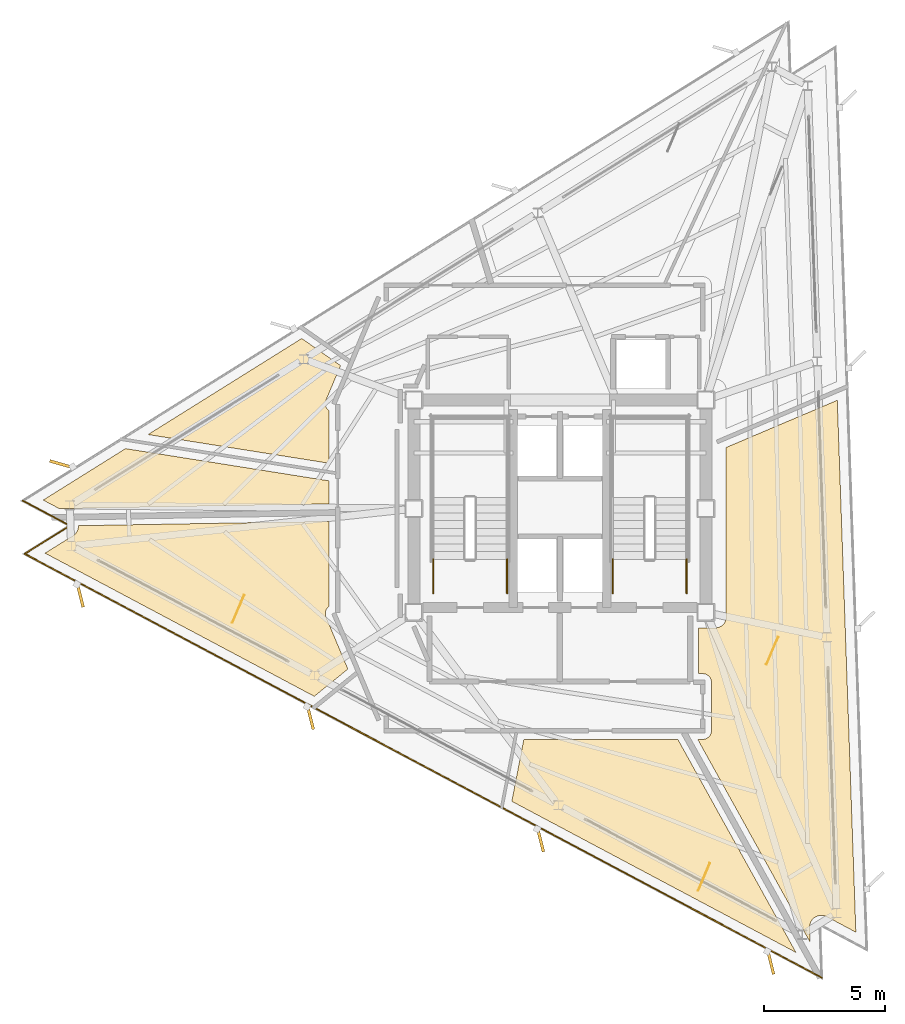
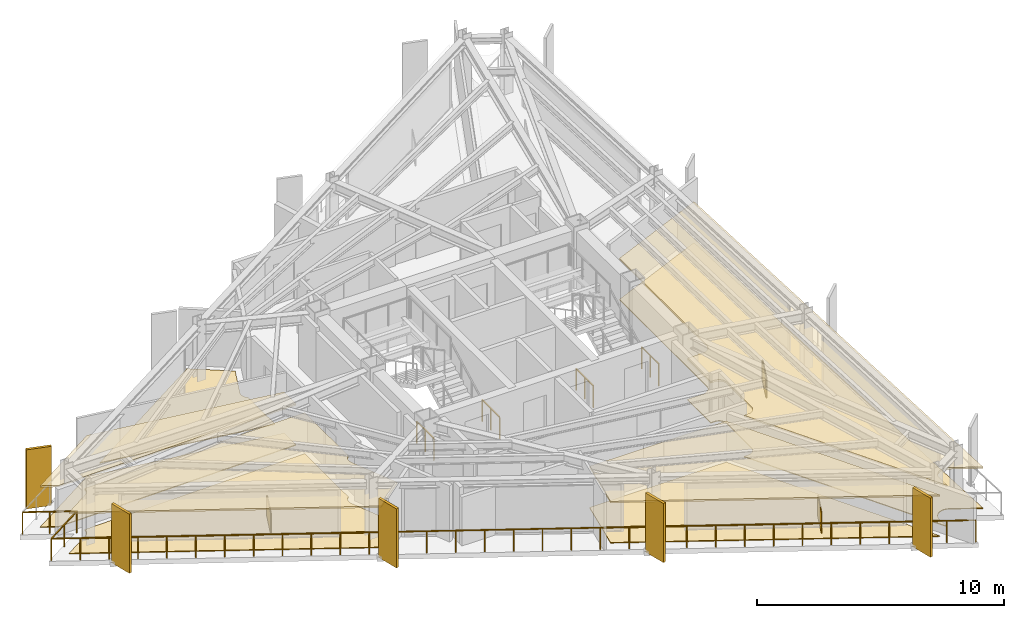
# One storey, part 11 of 13: 12 coverings, 5 railings, 5 shading devices.
"""IFC4 building model written with IfcOpenShell, lengths in metres."""

from ifc_helpers import new_model, si_unit, direction, frame, origin, origin_2d, place, context, subcontext, project, spatial, polyline, rectangle, outline, extrude, material, layer, layer_set, type_object, element, save


model = new_model("IFC4")

# Units and contexts
model_context = context("Model", 3, precision=1e-05, world=origin(), true_north=direction((0.0, 1.0)))
body_context = subcontext(model_context, "Body", "Model", "MODEL_VIEW")
ifc_project = project(units=[si_unit("LENGTHUNIT", "METRE"), si_unit("AREAUNIT", "SQUARE_METRE"), si_unit("VOLUMEUNIT", "CUBIC_METRE"), si_unit("PLANEANGLEUNIT", "RADIAN"), si_unit("MASSUNIT", "GRAM", prefix="KILO")], contexts=[model_context])

# Site, building, storey
site_placement = place(None, origin())
site = spatial("IfcSite", under=ifc_project, at=site_placement, CompositionType="ELEMENT")
building_placement = place(site_placement, origin())
building = spatial("IfcBuilding", under=site, at=building_placement, Name="Rocaltana Carrier Exchange", CompositionType="ELEMENT")
storey_placement = place(building_placement, frame((0.0, 0.0, 196.639892578125)))
storey = spatial("IfcBuildingStorey", under=building, at=storey_placement, Name="L62", CompositionType="ELEMENT", Elevation=196.639892578125)

# Coverings
ifc_material_1 = material(Name="Honed Bogota Sandstone Tile", Category="masonry")
ifc_layer_1 = layer(ifc_material_1, 0.0400390625)
ifc_layer_set_1 = layer_set([ifc_layer_1], Name="Honed Bogota Sandstone Tile")
covering_type_1 = type_object("IfcCoveringType", Name="Honed Stone Lobby Flooring 40", PredefinedType="FLOORING", material=ifc_layer_set_1)
covering_1_placement = place(storey_placement, origin())
element("IfcCovering", 1, at=covering_1_placement, inside=storey, type_object=covering_type_1, Name="L62 Peering Conference Room Finish Floor", PredefinedType="FLOORING", context=body_context, shape_type="SweptSolid", body=[
    extrude(outline(polyline([(-20.17138671875, -1.120361328125), (-20.15966796875, -1.11279296875), (-20.143310546875, -1.101318359375), (-20.121337890625, -1.084228515625), (-20.106201171875, -1.0712890625), (-20.085693359375, -1.052001953125), (-20.072021484375, -1.03759765625), (-20.0537109375, -1.0166015625), (-20.04150390625, -1.000732421875), (-20.025390625, -0.97802734375), (-20.014892578125, -0.961181640625), (-20.001220703125, -0.936767578125), (-19.9921875, -0.9189453125), (-19.98095703125, -0.893310546875), (-19.973876953125, -0.874755859375), (-19.965087890625, -0.848388671875), (-19.9599609375, -0.8291015625), (-19.9541015625, -0.8017578125), (-19.95068359375, -0.781982421875), (-19.947509765625, -0.75439453125), (-19.9462890625, -0.734375), (-19.94580078125, -0.708251953125), (-9.56005859375, -0.52685546875), (-9.56005859375, -4.052001953125), (-9.57177734375, -4.06005859375), (-9.578125, -4.064697265625), (-9.59912109375, -4.082275390625), (-9.60498046875, -4.087646484375), (-9.624267578125, -4.107177734375), (-9.629638671875, -4.113037109375), (-9.64697265625, -4.134521484375), (-9.651611328125, -4.140625), (-9.666748046875, -4.16357421875), (-9.670654296875, -4.17041015625), (-9.68359375, -4.194580078125), (-9.686767578125, -4.201904296875), (-9.697265625, -4.227294921875), (-9.69970703125, -4.234619140625), (-9.70751953125, -4.260986328125), (-9.70947265625, -4.2685546875), (-9.714599609375, -4.295654296875), (-9.7158203125, -4.30322265625), (-9.718505859375, -4.330810546875), (-9.71875, -4.33837890625), (-9.718505859375, -4.365966796875), (-9.71826171875, -4.373779296875), (-9.71533203125, -4.401123046875), (-9.714111328125, -4.408935546875), (-9.70849609375, -4.435791015625), (-9.706787109375, -4.443603515625), (-9.698486328125, -4.4697265625), (-9.69580078125, -4.47705078125), (-9.69091796875, -4.489990234375), (-8.782958984375, -6.649169921875), (-10.17626953125, -7.77734375), (-21.33203125, -1.845703125), (-20.17138671875, -1.120361328125)])), origin(), (0.0, 0.0, 1.0), 0.0400390625),
])
covering_2_placement = place(storey_placement, origin())
element("IfcCovering", 2, at=covering_2_placement, inside=storey, type_object=covering_type_1, Name="L62 Peering Conference Room Finish Floor", PredefinedType="FLOORING", context=body_context, shape_type="SweptSolid", body=[
    extrude(outline(polyline([(-1.990966796875, -12.12939453125), (-1.491455078125, -9.56005859375), (4.8876953125, -9.56005859375), (9.781494140625, -18.388916015625), (-1.990966796875, -12.12939453125)])), origin(), (0.0, 0.0, 1.0), 0.0400390625),
])
covering_3_placement = place(storey_placement, origin())
element("IfcCovering", 3, at=covering_3_placement, inside=storey, type_object=covering_type_1, Name="L62 Optical Switching Laboratory Finish Floor", PredefinedType="FLOORING", context=body_context, shape_type="SweptSolid", body=[
    extrude(outline(polyline([(5.739990234375, -6.840087890625), (5.739990234375, -4.93994140625), (6.449951171875, -4.93994140625), (6.463623046875, -4.939697265625), (6.4794921875, -4.93896484375), (6.5068359375, -4.936279296875), (6.522216796875, -4.933837890625), (6.54931640625, -4.928466796875), (6.564453125, -4.9248046875), (6.5908203125, -4.916748046875), (6.605712890625, -4.91162109375), (6.630859375, -4.90087890625), (6.64501953125, -4.894287109375), (6.66943359375, -4.88134765625), (6.682861328125, -4.873291015625), (6.705810546875, -4.85791015625), (6.71826171875, -4.8486328125), (6.739501953125, -4.8310546875), (6.751220703125, -4.820556640625), (6.7705078125, -4.80126953125), (6.781005859375, -4.78955078125), (6.798583984375, -4.768310546875), (6.807861328125, -4.755615234375), (6.8232421875, -4.73291015625), (6.831298828125, -4.719482421875), (6.84423828125, -4.695068359375), (6.850830078125, -4.680908203125), (6.861572265625, -4.655517578125), (6.86669921875, -4.640869140625), (6.874755859375, -4.614501953125), (6.87841796875, -4.59912109375), (6.8837890625, -4.572265625), (6.88623046875, -4.556884765625), (6.888916015625, -4.529296875), (6.8896484375, -4.513671875), (6.889892578125, -4.5), (6.889892578125, 2.533447265625), (11.494873046875, 4.488037109375), (12.264404296875, -17.55126953125), (11.055908203125, -16.90869140625), (11.04345703125, -16.902587890625), (11.025390625, -16.89404296875), (10.99951171875, -16.883544921875), (10.980712890625, -16.876708984375), (10.9541015625, -16.868896484375), (10.9345703125, -16.8642578125), (10.9072265625, -16.85888671875), (10.887451171875, -16.856201171875), (10.859619140625, -16.853515625), (10.83984375, -16.852783203125), (10.81201171875, -16.85302734375), (10.7919921875, -16.854248046875), (10.76416015625, -16.857421875), (10.744384765625, -16.860595703125), (10.71728515625, -16.8662109375), (10.697998046875, -16.871337890625), (10.67138671875, -16.8798828125), (10.652587890625, -16.886962890625), (10.627197265625, -16.89794921875), (10.609130859375, -16.906982421875), (10.584716796875, -16.92041015625), (10.56787109375, -16.930908203125), (10.544921875, -16.947021484375), (10.529296875, -16.959228515625), (10.508056640625, -16.977294921875), (10.49365234375, -16.990966796875), (10.474365234375, -17.01123046875), (10.461181640625, -17.0263671875), (10.444091796875, -17.04833984375), (10.4326171875, -17.064697265625), (10.41748046875, -17.088134765625), (10.407958984375, -17.105712890625), (10.3955078125, -17.130615234375), (10.38720703125, -17.148681640625), (10.37744140625, -17.1748046875), (10.37109375, -17.19384765625), (10.364013671875, -17.220703125), (10.359619140625, -17.240234375), (10.35498046875, -17.267822265625), (10.352783203125, -17.28759765625), (10.35107421875, -17.3154296875), (10.350830078125, -17.33544921875), (10.350830078125, -17.349365234375), (10.37255859375, -17.97021484375), (5.710693359375, -9.56005859375), (5.919921875, -9.56005859375), (5.93359375, -9.559814453125), (5.941650390625, -9.559326171875), (5.968994140625, -9.556640625), (5.976806640625, -9.555419921875), (6.003662109375, -9.550048828125), (6.01123046875, -9.548095703125), (6.03759765625, -9.540283203125), (6.044921875, -9.53759765625), (6.0703125, -9.527099609375), (6.077392578125, -9.523681640625), (6.101806640625, -9.5107421875), (6.1083984375, -9.506591796875), (6.131103515625, -9.491455078125), (6.137451171875, -9.48681640625), (6.15869140625, -9.46923828125), (6.16455078125, -9.464111328125), (6.18408203125, -9.444580078125), (6.189208984375, -9.438720703125), (6.206787109375, -9.41748046875), (6.21142578125, -9.4111328125), (6.226806640625, -9.388427734375), (6.230712890625, -9.381591796875), (6.24365234375, -9.357421875), (6.2470703125, -9.350341796875), (6.257568359375, -9.324951171875), (6.26025390625, -9.317626953125), (6.268310546875, -9.291259765625), (6.27001953125, -9.28369140625), (6.275390625, -9.256591796875), (6.276611328125, -9.248779296875), (6.279296875, -9.2216796875), (6.27978515625, -9.213623046875), (6.280029296875, -9.199951171875), (6.280029296875, -7.199951171875), (6.27978515625, -7.186279296875), (6.279296875, -7.178466796875), (6.276611328125, -7.151123046875), (6.275390625, -7.143310546875), (6.27001953125, -7.116455078125), (6.268310546875, -7.108642578125), (6.26025390625, -7.08251953125), (6.257568359375, -7.0751953125), (6.2470703125, -7.0498046875), (6.24365234375, -7.04248046875), (6.230712890625, -7.018310546875), (6.226806640625, -7.01171875), (6.21142578125, -6.98876953125), (6.206787109375, -6.982421875), (6.189208984375, -6.961181640625), (6.18408203125, -6.955322265625), (6.16455078125, -6.93603515625), (6.15869140625, -6.9306640625), (6.137451171875, -6.913330078125), (6.131103515625, -6.90869140625), (6.1083984375, -6.893310546875), (6.101806640625, -6.889404296875), (6.077392578125, -6.876220703125), (6.0703125, -6.873046875), (6.044921875, -6.862548828125), (6.03759765625, -6.85986328125), (6.01123046875, -6.851806640625), (6.003662109375, -6.849853515625), (5.976806640625, -6.844482421875), (5.968994140625, -6.843505859375), (5.941650390625, -6.8408203125), (5.93359375, -6.84033203125), (5.919921875, -6.840087890625), (5.739990234375, -6.840087890625)])), origin(), (0.0, 0.0, 1.0), 0.0400390625),
])
covering_4_placement = place(storey_placement, origin())
element("IfcCovering", 4, at=covering_4_placement, inside=storey, type_object=covering_type_1, Name="L62 Incident Briefing Room Finish Floor", PredefinedType="FLOORING", context=body_context, shape_type="SweptSolid", body=[
    extrude(outline(polyline([(-10.69384765625, 7.048583984375), (-9.087890625, 5.923828125), (-9.69091796875, 4.489990234375), (-9.69580078125, 4.47705078125), (-9.698486328125, 4.4697265625), (-9.706787109375, 4.443603515625), (-9.70849609375, 4.435791015625), (-9.714111328125, 4.408935546875), (-9.71533203125, 4.401123046875), (-9.71826171875, 4.373779296875), (-9.718505859375, 4.365966796875), (-9.71875, 4.33837890625), (-9.718505859375, 4.330810546875), (-9.7158203125, 4.30322265625), (-9.714599609375, 4.295654296875), (-9.70947265625, 4.2685546875), (-9.70751953125, 4.260986328125), (-9.69970703125, 4.234619140625), (-9.697265625, 4.227294921875), (-9.686767578125, 4.201904296875), (-9.68359375, 4.194580078125), (-9.670654296875, 4.17041015625), (-9.666748046875, 4.16357421875), (-9.651611328125, 4.140625), (-9.64697265625, 4.134521484375), (-9.629638671875, 4.113037109375), (-9.624267578125, 4.107177734375), (-9.60498046875, 4.087646484375), (-9.59912109375, 4.082275390625), (-9.578125, 4.064697265625), (-9.57177734375, 4.06005859375), (-9.56005859375, 4.052001953125), (-9.56005859375, 1.878662109375), (-17.065185546875, 3.0673828125), (-10.69384765625, 7.048583984375)])), origin(), (0.0, 0.0, 1.0), 0.0400390625),
])
covering_5_placement = place(storey_placement, origin())
element("IfcCovering", 5, at=covering_5_placement, inside=storey, type_object=covering_type_1, Name="L62 Carrier Peering Suite Finish Floor", PredefinedType="FLOORING", context=body_context, shape_type="SweptSolid", body=[
    extrude(outline(polyline([(-21.40869140625, 0.35302734375), (-17.995849609375, 2.48583984375), (-9.56005859375, 1.149658203125), (-9.56005859375, 0.193115234375), (-20.740966796875, -0.001953125), (-21.40869140625, 0.35302734375)])), origin(), (0.0, 0.0, 1.0), 0.0400390625),
])
ifc_material_2 = material(Name="Anodised Aluminium 6063-T6", Category="aluminium")
ifc_layer_2 = layer(ifc_material_2, 0.0849609375)
ifc_layer_set_2 = layer_set([ifc_layer_2], Name="Anodised Aluminium 6063-T6")
covering_type_2 = type_object("IfcCoveringType", Name="Linear Baffle Acoustic Ceiling 85", PredefinedType="CEILING", material=ifc_layer_set_2)
covering_6_placement = place(storey_placement, frame((0.0, 0.0, 1.983154296875)))
element("IfcCovering", 6, at=covering_6_placement, inside=storey, type_object=covering_type_2, Name="L62 Peering Conference Room Acoustic Ceiling", PredefinedType="CEILING", context=body_context, shape_type="SweptSolid", body=[
    extrude(outline(polyline([(-20.17138671875, -1.120361328125), (-20.15966796875, -1.11279296875), (-20.143310546875, -1.101318359375), (-20.121337890625, -1.084228515625), (-20.106201171875, -1.0712890625), (-20.085693359375, -1.052001953125), (-20.072021484375, -1.03759765625), (-20.0537109375, -1.0166015625), (-20.04150390625, -1.000732421875), (-20.025390625, -0.97802734375), (-20.014892578125, -0.961181640625), (-20.001220703125, -0.936767578125), (-19.9921875, -0.9189453125), (-19.98095703125, -0.893310546875), (-19.973876953125, -0.874755859375), (-19.965087890625, -0.848388671875), (-19.9599609375, -0.8291015625), (-19.9541015625, -0.8017578125), (-19.95068359375, -0.781982421875), (-19.947509765625, -0.75439453125), (-19.9462890625, -0.734375), (-19.94580078125, -0.708251953125), (-9.56005859375, -0.52685546875), (-9.56005859375, -4.052001953125), (-9.57177734375, -4.06005859375), (-9.578125, -4.064697265625), (-9.59912109375, -4.082275390625), (-9.60498046875, -4.087646484375), (-9.624267578125, -4.107177734375), (-9.629638671875, -4.113037109375), (-9.64697265625, -4.134521484375), (-9.651611328125, -4.140625), (-9.666748046875, -4.16357421875), (-9.670654296875, -4.17041015625), (-9.68359375, -4.194580078125), (-9.686767578125, -4.201904296875), (-9.697265625, -4.227294921875), (-9.69970703125, -4.234619140625), (-9.70751953125, -4.260986328125), (-9.70947265625, -4.2685546875), (-9.714599609375, -4.295654296875), (-9.7158203125, -4.30322265625), (-9.718505859375, -4.330810546875), (-9.71875, -4.33837890625), (-9.718505859375, -4.365966796875), (-9.71826171875, -4.373779296875), (-9.71533203125, -4.401123046875), (-9.714111328125, -4.408935546875), (-9.70849609375, -4.435791015625), (-9.706787109375, -4.443603515625), (-9.698486328125, -4.4697265625), (-9.69580078125, -4.47705078125), (-9.69091796875, -4.489990234375), (-8.782958984375, -6.649169921875), (-10.17626953125, -7.77734375), (-21.33203125, -1.845703125), (-20.17138671875, -1.120361328125)])), origin(), (0.0, 0.0, 1.0), 0.0849609375),
])
covering_7_placement = place(storey_placement, frame((0.0, 0.0, 1.983154296875)))
element("IfcCovering", 7, at=covering_7_placement, inside=storey, type_object=covering_type_2, Name="L62 Peering Conference Room Acoustic Ceiling", PredefinedType="CEILING", context=body_context, shape_type="SweptSolid", body=[
    extrude(outline(polyline([(-1.990966796875, -12.12939453125), (-1.491455078125, -9.56005859375), (4.8876953125, -9.56005859375), (9.781494140625, -18.388916015625), (-1.990966796875, -12.12939453125)])), origin(), (0.0, 0.0, 1.0), 0.0849609375),
])
covering_8_placement = place(storey_placement, frame((0.0, 0.0, 1.983154296875)))
element("IfcCovering", 8, at=covering_8_placement, inside=storey, type_object=covering_type_2, Name="L62 Optical Switching Laboratory Acoustic Ceiling", PredefinedType="CEILING", context=body_context, shape_type="SweptSolid", body=[
    extrude(outline(polyline([(5.739990234375, -6.840087890625), (5.739990234375, -4.93994140625), (6.449951171875, -4.93994140625), (6.463623046875, -4.939697265625), (6.4794921875, -4.93896484375), (6.5068359375, -4.936279296875), (6.522216796875, -4.933837890625), (6.54931640625, -4.928466796875), (6.564453125, -4.9248046875), (6.5908203125, -4.916748046875), (6.605712890625, -4.91162109375), (6.630859375, -4.90087890625), (6.64501953125, -4.894287109375), (6.66943359375, -4.88134765625), (6.682861328125, -4.873291015625), (6.705810546875, -4.85791015625), (6.71826171875, -4.8486328125), (6.739501953125, -4.8310546875), (6.751220703125, -4.820556640625), (6.7705078125, -4.80126953125), (6.781005859375, -4.78955078125), (6.798583984375, -4.768310546875), (6.807861328125, -4.755615234375), (6.8232421875, -4.73291015625), (6.831298828125, -4.719482421875), (6.84423828125, -4.695068359375), (6.850830078125, -4.680908203125), (6.861572265625, -4.655517578125), (6.86669921875, -4.640869140625), (6.874755859375, -4.614501953125), (6.87841796875, -4.59912109375), (6.8837890625, -4.572265625), (6.88623046875, -4.556884765625), (6.888916015625, -4.529296875), (6.8896484375, -4.513671875), (6.889892578125, -4.5), (6.889892578125, 2.533447265625), (11.494873046875, 4.488037109375), (12.264404296875, -17.55126953125), (11.055908203125, -16.90869140625), (11.04345703125, -16.902587890625), (11.025390625, -16.89404296875), (10.99951171875, -16.883544921875), (10.980712890625, -16.876708984375), (10.9541015625, -16.868896484375), (10.9345703125, -16.8642578125), (10.9072265625, -16.85888671875), (10.887451171875, -16.856201171875), (10.859619140625, -16.853515625), (10.83984375, -16.852783203125), (10.81201171875, -16.85302734375), (10.7919921875, -16.854248046875), (10.76416015625, -16.857421875), (10.744384765625, -16.860595703125), (10.71728515625, -16.8662109375), (10.697998046875, -16.871337890625), (10.67138671875, -16.8798828125), (10.652587890625, -16.886962890625), (10.627197265625, -16.89794921875), (10.609130859375, -16.906982421875), (10.584716796875, -16.92041015625), (10.56787109375, -16.930908203125), (10.544921875, -16.947021484375), (10.529296875, -16.959228515625), (10.508056640625, -16.977294921875), (10.49365234375, -16.990966796875), (10.474365234375, -17.01123046875), (10.461181640625, -17.0263671875), (10.444091796875, -17.04833984375), (10.4326171875, -17.064697265625), (10.41748046875, -17.088134765625), (10.407958984375, -17.105712890625), (10.3955078125, -17.130615234375), (10.38720703125, -17.148681640625), (10.37744140625, -17.1748046875), (10.37109375, -17.19384765625), (10.364013671875, -17.220703125), (10.359619140625, -17.240234375), (10.35498046875, -17.267822265625), (10.352783203125, -17.28759765625), (10.35107421875, -17.3154296875), (10.350830078125, -17.33544921875), (10.350830078125, -17.349365234375), (10.37255859375, -17.97021484375), (5.710693359375, -9.56005859375), (5.919921875, -9.56005859375), (5.93359375, -9.559814453125), (5.941650390625, -9.559326171875), (5.968994140625, -9.556640625), (5.976806640625, -9.555419921875), (6.003662109375, -9.550048828125), (6.01123046875, -9.548095703125), (6.03759765625, -9.540283203125), (6.044921875, -9.53759765625), (6.0703125, -9.527099609375), (6.077392578125, -9.523681640625), (6.101806640625, -9.5107421875), (6.1083984375, -9.506591796875), (6.131103515625, -9.491455078125), (6.137451171875, -9.48681640625), (6.15869140625, -9.46923828125), (6.16455078125, -9.464111328125), (6.18408203125, -9.444580078125), (6.189208984375, -9.438720703125), (6.206787109375, -9.41748046875), (6.21142578125, -9.4111328125), (6.226806640625, -9.388427734375), (6.230712890625, -9.381591796875), (6.24365234375, -9.357421875), (6.2470703125, -9.350341796875), (6.257568359375, -9.324951171875), (6.26025390625, -9.317626953125), (6.268310546875, -9.291259765625), (6.27001953125, -9.28369140625), (6.275390625, -9.256591796875), (6.276611328125, -9.248779296875), (6.279296875, -9.2216796875), (6.27978515625, -9.213623046875), (6.280029296875, -9.199951171875), (6.280029296875, -7.199951171875), (6.27978515625, -7.186279296875), (6.279296875, -7.178466796875), (6.276611328125, -7.151123046875), (6.275390625, -7.143310546875), (6.27001953125, -7.116455078125), (6.268310546875, -7.108642578125), (6.26025390625, -7.08251953125), (6.257568359375, -7.0751953125), (6.2470703125, -7.0498046875), (6.24365234375, -7.04248046875), (6.230712890625, -7.018310546875), (6.226806640625, -7.01171875), (6.21142578125, -6.98876953125), (6.206787109375, -6.982421875), (6.189208984375, -6.961181640625), (6.18408203125, -6.955322265625), (6.16455078125, -6.93603515625), (6.15869140625, -6.9306640625), (6.137451171875, -6.913330078125), (6.131103515625, -6.90869140625), (6.1083984375, -6.893310546875), (6.101806640625, -6.889404296875), (6.077392578125, -6.876220703125), (6.0703125, -6.873046875), (6.044921875, -6.862548828125), (6.03759765625, -6.85986328125), (6.01123046875, -6.851806640625), (6.003662109375, -6.849853515625), (5.976806640625, -6.844482421875), (5.968994140625, -6.843505859375), (5.941650390625, -6.8408203125), (5.93359375, -6.84033203125), (5.919921875, -6.840087890625), (5.739990234375, -6.840087890625)])), origin(), (0.0, 0.0, 1.0), 0.0849609375),
])
covering_9_placement = place(storey_placement, frame((0.0, 0.0, 1.983154296875)))
element("IfcCovering", 9, at=covering_9_placement, inside=storey, type_object=covering_type_2, Name="L62 Carrier Peering Suite Acoustic Ceiling", PredefinedType="CEILING", context=body_context, shape_type="SweptSolid", body=[
    extrude(outline(polyline([(-21.40869140625, 0.35302734375), (-17.995849609375, 2.48583984375), (-9.56005859375, 1.149658203125), (-9.56005859375, 0.193115234375), (-20.740966796875, -0.001953125), (-21.40869140625, 0.35302734375)])), origin(), (0.0, 0.0, 1.0), 0.0849609375),
])

# Railings
ifc_material_3 = material(Name="Powder-Coated Aluminium 6063-T6", Category="aluminium")
ifc_layer_3 = layer(ifc_material_3, 0.048095703125)
ifc_layer_set_3 = layer_set([ifc_layer_3], Name="Powder-Coated Aluminium 6063-T6")
railing_type_1 = type_object("IfcRailingType", Name="Stair Well Guardrail 1100", PredefinedType="GUARDRAIL", material=ifc_layer_set_3)
for number, where, name in (
    (10, (-2.18994140625, -3.5, 0.0), "L62 ST-1 stair guard 8"),
    (11, (-5.25, -3.5, 0.0), "L62 ST-1 stair guard 9"),
    (12, (5.25, -3.5, 0.0), "L62 ST-2 stair guard 8"),
    (13, (2.18994140625, -3.5, 0.0), "L62 ST-2 stair guard 9"),
):
    element("IfcRailing", number, at=place(storey_placement, frame(where)), inside=storey, type_object=railing_type_1, Name=name, PredefinedType="GUARDRAIL", context=body_context, shape_type="SweptSolid", body=[
        extrude(rectangle(XDim=0.048095703125, YDim=0.048095703125, at=origin_2d()), frame((0.0, 0.0, 1.076171875), z_axis=(0.0, 1.0, 0.0), x_axis=(-1.0, 0.0, 0.0)), (0.0, 0.0, 1.0), 1.39990234375),
        extrude(rectangle(XDim=0.0419921875, YDim=0.0419921875, at=origin_2d()), origin(), (0.0, 0.0, 1.0), 1.052001953125),
        extrude(rectangle(XDim=0.0419921875, YDim=0.0419921875, at=origin_2d()), frame((0.0, 0.699951171875, 0.0)), (0.0, 0.0, 1.0), 1.052001953125),
        extrude(rectangle(XDim=0.0419921875, YDim=0.0419921875, at=origin_2d()), frame((0.0, 1.39990234375, 0.0)), (0.0, 0.0, 1.0), 1.052001953125),
    ])

# Coverings
ifc_material_4 = material(Name="Honed Piedra Muneca Sandstone", Category="masonry")
ifc_layer_4 = layer(ifc_material_4, 0.034912109375)
ifc_layer_set_4 = layer_set([ifc_layer_4], Name="Honed Piedra Muneca Sandstone")
covering_type_3 = type_object("IfcCoveringType", Name="Stone Facade Cladding 35", PredefinedType="CLADDING", material=ifc_layer_set_4)
for number, where, z_axis, x_axis, name in (
    (14, (-13.32666015625, -4.152099609375, 0.0), (0.0, 0.0, 1.0), (0.390731128489, 0.920504853452, 0.0), "L62 Stone Facade Cladding Panel 1"),
    (15, (5.970947265625, -15.25927734375, 0.0), (0.0, 0.0, 1.0), (0.390731128489, 0.920504853452, 0.0), "L62 Stone Facade Cladding Panel 3"),
    (16, (8.798583984375, -5.889892578125, 0.0), (0.0, 0.0, 1.0), (0.390731128489, 0.920504853452, 0.0), "L62 Stone Facade Cladding Panel 4"),
):
    element("IfcCovering", number, at=place(storey_placement, frame(where, z_axis=z_axis, x_axis=x_axis)), inside=storey, type_object=covering_type_3, Name=name, PredefinedType="CLADDING", context=body_context, shape_type="SweptSolid", body=[
        extrude(rectangle(XDim=1.25, YDim=0.034912109375, at=origin_2d()), origin(), (0.0, 0.0, 1.0), 1.050048828125),
    ])

# Shading devices
ifc_material_5 = material(Name="Honed Bogota Sandstone & Concrete C45/55", Category="masonry")
ifc_layer_5 = layer(ifc_material_5, 0.1201171875)
ifc_layer_set_5 = layer_set([ifc_layer_5], Name="Honed Bogota Sandstone & Concrete C45/55")
shading_device_type = type_object("IfcShadingDeviceType", Name="Upper Sandstone Shading Fin 1050x120", PredefinedType="USERDEFINED", material=ifc_layer_set_5)
for number, where, z_axis, x_axis, name in (
    (17, (-20.62939453125, 1.8310546875, -0.119873046875), (0.0, 0.0, 1.0), (-0.961261695938, 0.275637355817, 0.0), "L62 Sandstone Vertical Fin F2-04"),
    (18, (-19.87841796875, -3.5703125, -0.119873046875), (0.0, 0.0, 1.0), (0.2419218956, -0.970295726276, 0.0), "L62 Sandstone Vertical Fin F3-01"),
    (19, (-10.342529296875, -8.640625, -0.119873046875), (0.0, 0.0, 1.0), (0.2419218956, -0.970295726276, 0.0), "L62 Sandstone Vertical Fin F3-02"),
    (20, (-0.806884765625, -13.7109375, -0.119873046875), (0.0, 0.0, 1.0), (0.2419218956, -0.970295726276, 0.0), "L62 Sandstone Vertical Fin F3-03"),
    (21, (8.72900390625, -18.78125, -0.119873046875), (0.0, 0.0, 1.0), (0.2419218956, -0.970295726276, 0.0), "L62 Sandstone Vertical Fin F3-04"),
):
    element("IfcShadingDevice", number, at=place(storey_placement, frame(where, z_axis=z_axis, x_axis=x_axis)), inside=storey, type_object=shading_device_type, Name=name, ObjectType="FIN", PredefinedType="USERDEFINED", context=body_context, shape_type="SweptSolid", body=[
        extrude(rectangle(XDim=1.050048828125, YDim=0.1201171875, at=origin_2d()), origin(), (0.0, 0.0, 1.0), 2.91796875),
    ])

# Railing
ifc_material_6 = material(Name="Powder-Coated Aluminium 6063-T6", Category="aluminium")
ifc_layer_6 = layer(ifc_material_6, 0.06005859375)
ifc_layer_set_6 = layer_set([ifc_layer_6], Name="Powder-Coated Aluminium 6063-T6")
railing_type_2 = type_object("IfcRailingType", Name="Wind-Floor & Terrace Perimeter Guardrail 1100", PredefinedType="GUARDRAIL", material=ifc_layer_set_6)
railing_placement = place(storey_placement, frame((10.84375, -19.429443359375, 0.0)))
element("IfcRailing", 22, at=railing_placement, inside=storey, type_object=railing_type_2, Name="L62 Perimeter Balcony Guardrail 1", PredefinedType="GUARDRAIL", context=body_context, shape_type="SweptSolid", body=[
    extrude(rectangle(XDim=0.048095703125, YDim=0.048095703125, at=origin_2d()), frame((0.0, 0.0, 1.076171875), z_axis=(-0.882949211739, 0.469468518103, 0.0), x_axis=(-0.469468518103, -0.882949211739, 0.0)), (0.0, 0.0, 1.0), 37.39208984375),
    extrude(rectangle(XDim=0.048095703125, YDim=0.048095703125, at=origin_2d()), frame((-33.015380859375, 17.554443359375, 1.076171875), z_axis=(0.848010771987, 0.52997899071, 0.0), x_axis=(-0.52997899071, 0.848010771987, 0.0)), (0.0, 0.0, 1.0), 2.2001953125),
    extrude(rectangle(XDim=0.048095703125, YDim=0.048095703125, at=origin_2d()), frame((-31.149658203125, 18.720458984375, 1.076171875), z_axis=(-0.882960484464, 0.4694473164, 0.0), x_axis=(-0.4694473164, -0.882960484464, 0.0)), (0.0, 0.0, 1.0), 2.199951171875),
    extrude(rectangle(XDim=0.0419921875, YDim=0.0419921875, at=origin_2d()), origin(), (0.0, 0.0, 1.0), 1.052001953125),
    extrude(rectangle(XDim=0.0419921875, YDim=0.0419921875, at=origin_2d()), frame((-1.03173828125, 0.548583984375, 0.0)), (0.0, 0.0, 1.0), 1.052001953125),
    extrude(rectangle(XDim=0.0419921875, YDim=0.0419921875, at=origin_2d()), frame((-2.0634765625, 1.09716796875, 0.0)), (0.0, 0.0, 1.0), 1.052001953125),
    extrude(rectangle(XDim=0.0419921875, YDim=0.0419921875, at=origin_2d()), frame((-3.09521484375, 1.645751953125, 0.0)), (0.0, 0.0, 1.0), 1.052001953125),
    extrude(rectangle(XDim=0.0419921875, YDim=0.0419921875, at=origin_2d()), frame((-4.126953125, 2.1943359375, 0.0)), (0.0, 0.0, 1.0), 1.052001953125),
    extrude(rectangle(XDim=0.0419921875, YDim=0.0419921875, at=origin_2d()), frame((-5.15869140625, 2.742919921875, 0.0)), (0.0, 0.0, 1.0), 1.052001953125),
    extrude(rectangle(XDim=0.0419921875, YDim=0.0419921875, at=origin_2d()), frame((-6.1904296875, 3.29150390625, 0.0)), (0.0, 0.0, 1.0), 1.052001953125),
    extrude(rectangle(XDim=0.0419921875, YDim=0.0419921875, at=origin_2d()), frame((-7.22216796875, 3.840087890625, 0.0)), (0.0, 0.0, 1.0), 1.052001953125),
    extrude(rectangle(XDim=0.0419921875, YDim=0.0419921875, at=origin_2d()), frame((-8.25390625, 4.388671875, 0.0)), (0.0, 0.0, 1.0), 1.052001953125),
    extrude(rectangle(XDim=0.0419921875, YDim=0.0419921875, at=origin_2d()), frame((-9.28564453125, 4.937255859375, 0.0)), (0.0, 0.0, 1.0), 1.052001953125),
    extrude(rectangle(XDim=0.0419921875, YDim=0.0419921875, at=origin_2d()), frame((-10.3173828125, 5.48583984375, 0.0)), (0.0, 0.0, 1.0), 1.052001953125),
    extrude(rectangle(XDim=0.0419921875, YDim=0.0419921875, at=origin_2d()), frame((-11.34912109375, 6.034423828125, 0.0)), (0.0, 0.0, 1.0), 1.052001953125),
    extrude(rectangle(XDim=0.0419921875, YDim=0.0419921875, at=origin_2d()), frame((-12.380859375, 6.5830078125, 0.0)), (0.0, 0.0, 1.0), 1.052001953125),
    extrude(rectangle(XDim=0.0419921875, YDim=0.0419921875, at=origin_2d()), frame((-13.41259765625, 7.131591796875, 0.0)), (0.0, 0.0, 1.0), 1.052001953125),
    extrude(rectangle(XDim=0.0419921875, YDim=0.0419921875, at=origin_2d()), frame((-14.4443359375, 7.68017578125, 0.0)), (0.0, 0.0, 1.0), 1.052001953125),
    extrude(rectangle(XDim=0.0419921875, YDim=0.0419921875, at=origin_2d()), frame((-15.47607421875, 8.228759765625, 0.0)), (0.0, 0.0, 1.0), 1.052001953125),
    extrude(rectangle(XDim=0.0419921875, YDim=0.0419921875, at=origin_2d()), frame((-16.5078125, 8.77734375, 0.0)), (0.0, 0.0, 1.0), 1.052001953125),
    extrude(rectangle(XDim=0.0419921875, YDim=0.0419921875, at=origin_2d()), frame((-17.539306640625, 9.32568359375, 0.0)), (0.0, 0.0, 1.0), 1.052001953125),
    extrude(rectangle(XDim=0.0419921875, YDim=0.0419921875, at=origin_2d()), frame((-18.571044921875, 9.874267578125, 0.0)), (0.0, 0.0, 1.0), 1.052001953125),
    extrude(rectangle(XDim=0.0419921875, YDim=0.0419921875, at=origin_2d()), frame((-19.602783203125, 10.4228515625, 0.0)), (0.0, 0.0, 1.0), 1.052001953125),
    extrude(rectangle(XDim=0.0419921875, YDim=0.0419921875, at=origin_2d()), frame((-20.634521484375, 10.971435546875, 0.0)), (0.0, 0.0, 1.0), 1.052001953125),
    extrude(rectangle(XDim=0.0419921875, YDim=0.0419921875, at=origin_2d()), frame((-21.666259765625, 11.52001953125, 0.0)), (0.0, 0.0, 1.0), 1.052001953125),
    extrude(rectangle(XDim=0.0419921875, YDim=0.0419921875, at=origin_2d()), frame((-22.697998046875, 12.068603515625, 0.0)), (0.0, 0.0, 1.0), 1.052001953125),
    extrude(rectangle(XDim=0.0419921875, YDim=0.0419921875, at=origin_2d()), frame((-23.729736328125, 12.6171875, 0.0)), (0.0, 0.0, 1.0), 1.052001953125),
    extrude(rectangle(XDim=0.0419921875, YDim=0.0419921875, at=origin_2d()), frame((-24.761474609375, 13.165771484375, 0.0)), (0.0, 0.0, 1.0), 1.052001953125),
    extrude(rectangle(XDim=0.0419921875, YDim=0.0419921875, at=origin_2d()), frame((-25.793212890625, 13.71435546875, 0.0)), (0.0, 0.0, 1.0), 1.052001953125),
    extrude(rectangle(XDim=0.0419921875, YDim=0.0419921875, at=origin_2d()), frame((-26.824951171875, 14.262939453125, 0.0)), (0.0, 0.0, 1.0), 1.052001953125),
    extrude(rectangle(XDim=0.0419921875, YDim=0.0419921875, at=origin_2d()), frame((-27.856689453125, 14.8115234375, 0.0)), (0.0, 0.0, 1.0), 1.052001953125),
    extrude(rectangle(XDim=0.0419921875, YDim=0.0419921875, at=origin_2d()), frame((-28.888427734375, 15.360107421875, 0.0)), (0.0, 0.0, 1.0), 1.052001953125),
    extrude(rectangle(XDim=0.0419921875, YDim=0.0419921875, at=origin_2d()), frame((-29.920166015625, 15.90869140625, 0.0)), (0.0, 0.0, 1.0), 1.052001953125),
    extrude(rectangle(XDim=0.0419921875, YDim=0.0419921875, at=origin_2d()), frame((-30.951904296875, 16.457275390625, 0.0)), (0.0, 0.0, 1.0), 1.052001953125),
    extrude(rectangle(XDim=0.0419921875, YDim=0.0419921875, at=origin_2d()), frame((-31.983642578125, 17.005859375, 0.0)), (0.0, 0.0, 1.0), 1.052001953125),
    extrude(rectangle(XDim=0.0419921875, YDim=0.0419921875, at=origin_2d()), frame((-33.015380859375, 17.554443359375, 0.0)), (0.0, 0.0, 1.0), 1.052001953125),
    extrude(rectangle(XDim=0.0419921875, YDim=0.0419921875, at=origin_2d()), frame((-32.08251953125, 18.137451171875, 0.0)), (0.0, 0.0, 1.0), 1.052001953125),
    extrude(rectangle(XDim=0.0419921875, YDim=0.0419921875, at=origin_2d()), frame((-31.149658203125, 18.720458984375, 0.0)), (0.0, 0.0, 1.0), 1.052001953125),
    extrude(rectangle(XDim=0.0419921875, YDim=0.0419921875, at=origin_2d()), frame((-32.120849609375, 19.23681640625, 0.0)), (0.0, 0.0, 1.0), 1.052001953125),
    extrude(rectangle(XDim=0.0419921875, YDim=0.0419921875, at=origin_2d()), frame((-33.092041015625, 19.753173828125, 0.0)), (0.0, 0.0, 1.0), 1.052001953125),
])

save(model, "model.ifc")
